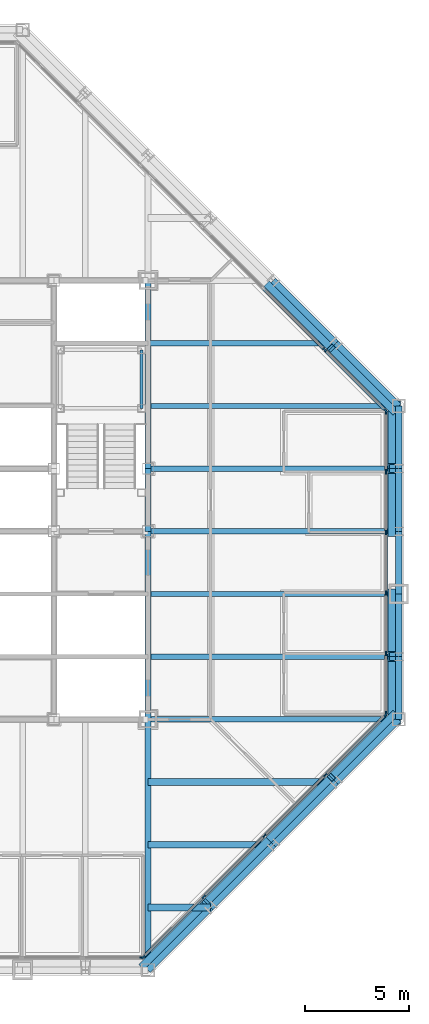
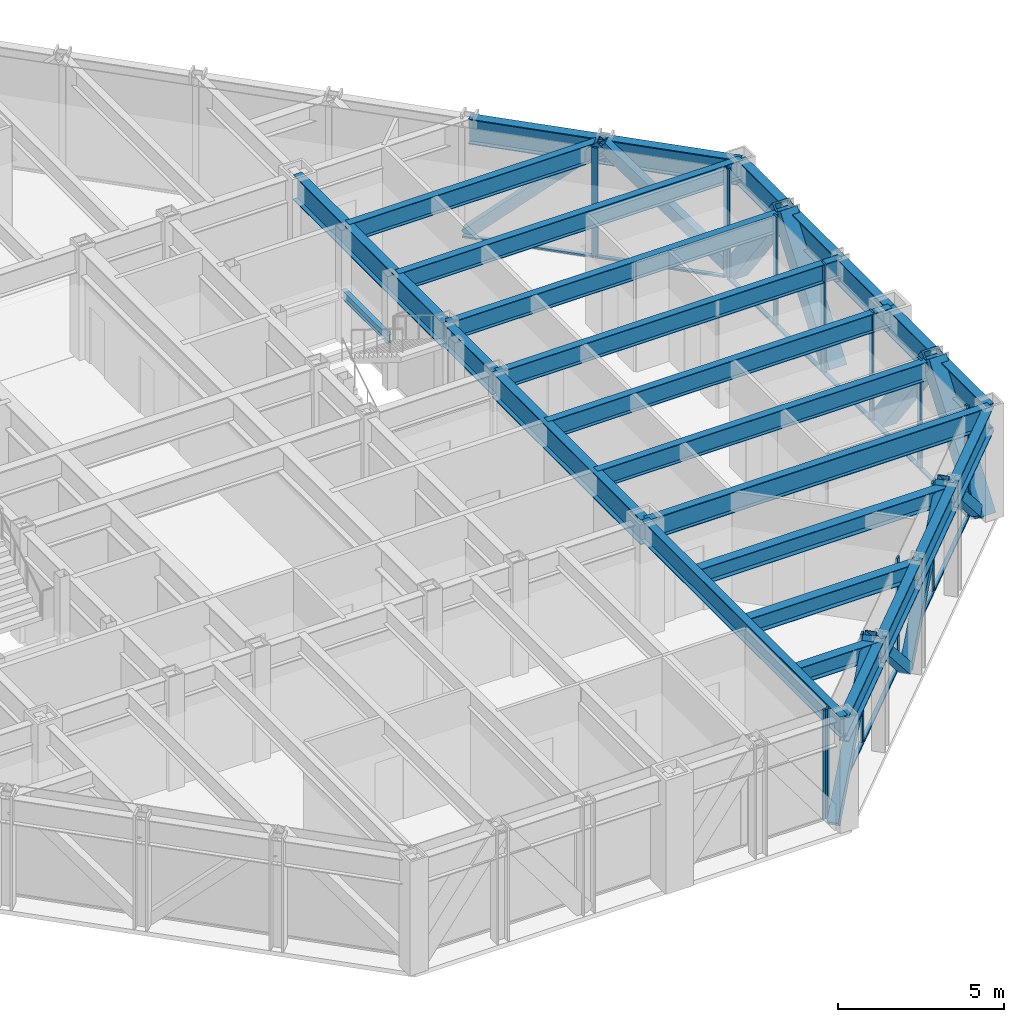
# One storey, part 7 of 16: 35 members, 26 beams, 4 elements without a shape of their own.
"""IFC4 building model written with IfcOpenShell, lengths in metres."""

from ifc_helpers import new_model, si_unit, direction, frame, origin, origin_2d, place, context, subcontext, project, spatial, rectangle, hollow_rectangle, i_section, extrude, material, layer, layer_set, material_profile, profile_set, type_object, element, aggregate, save


model = new_model("IFC4")

# Units and contexts
model_context = context("Model", 3, precision=1e-05, world=origin(), true_north=direction((0.0, 1.0)))
body_context = subcontext(model_context, "Body", "Model", "MODEL_VIEW")
ifc_project = project(units=[si_unit("LENGTHUNIT", "METRE"), si_unit("AREAUNIT", "SQUARE_METRE"), si_unit("VOLUMEUNIT", "CUBIC_METRE"), si_unit("PLANEANGLEUNIT", "RADIAN"), si_unit("MASSUNIT", "GRAM", prefix="KILO")], contexts=[model_context])

# Site, building, storey
site_placement = place(None, origin())
site = spatial("IfcSite", under=ifc_project, at=site_placement, CompositionType="ELEMENT")
building_placement = place(site_placement, origin())
building = spatial("IfcBuilding", under=site, at=building_placement, Name="Chuquiago Exchange Tower", CompositionType="ELEMENT")
storey_placement = place(building_placement, frame((0.0, 0.0, 226.5)))
storey = spatial("IfcBuildingStorey", under=building, at=storey_placement, Name="L50", CompositionType="ELEMENT", Elevation=226.5)

# Beams
ifc_material_1 = material(Name="Steel ASTM A992", Category="steel")
ifc_material_profile_1 = material_profile(ifc_material_1, i_section(OverallWidth=0.25390625, OverallDepth=0.683349609375, WebThickness=0.012451171875, FlangeThickness=0.018798828125, at=origin_2d()), Name="W27X94")
ifc_profile_set_1 = profile_set([ifc_material_profile_1], Name="Steel ASTM A992")
beam_type_1 = type_object("IfcBeamType", Name="B1 W27X94", PredefinedType="BEAM", material=ifc_profile_set_1)
for number, where, z_axis, x_axis, name in (
    (1, (33.0, 15.0, 3.698486328125), (1.0, 0.0, 0.0), (0.0, 1.0, 0.0), "FB-L51-infill-33_15-45_15-0"),
    (2, (33.0, 18.0, 3.698486328125), (1.0, 0.0, 0.0), (0.0, 1.0, 0.0), "FB-L51-infill-33_18-45_18-0"),
    (3, (33.0, 21.0, 3.698486328125), (1.0, 0.0, 0.0), (0.0, 1.0, 0.0), "FB-L51-infill-33_21-45_21-0"),
    (4, (33.0, 24.0, 3.698486328125), (1.0, 0.0, 0.0), (0.0, 1.0, 0.0), "FB-L51-infill-33_24-45_24-0"),
    (5, (33.0, 27.0, 3.698486328125), (1.0, 0.0, 0.0), (0.0, 1.0, 0.0), "FB-L51-infill-33_27-45_27-0"),
):
    element("IfcBeam", number, at=place(storey_placement, frame(where, z_axis=z_axis, x_axis=x_axis)), inside=storey, type_object=beam_type_1, Name=name, PredefinedType="BEAM", context=body_context, shape_type="SweptSolid", body=[
        extrude(i_section(OverallWidth=0.25390625, OverallDepth=0.683349609375, WebThickness=0.012451171875, FlangeThickness=0.018798828125, at=origin_2d()), origin(), (0.0, 0.0, 1.0), 12.0),
    ])
beam_1_placement = place(storey_placement, frame((33.0, 30.0, 3.698486328125), z_axis=(1.0, 0.0, 0.0), x_axis=(0.0, 1.0, 0.0)))
element("IfcBeam", 6, at=beam_1_placement, inside=storey, type_object=beam_type_1, Name="FB-L51-infill-33_30-42_30-0", PredefinedType="BEAM", context=body_context, shape_type="SweptSolid", body=[
    extrude(i_section(OverallWidth=0.25390625, OverallDepth=0.683349609375, WebThickness=0.012451171875, FlangeThickness=0.018798828125, at=origin_2d()), origin(), (0.0, 0.0, 1.0), 9.0),
])
ifc_material_2 = material(Name="Steel ASTM A992", Category="steel")
ifc_material_profile_2 = material_profile(ifc_material_2, i_section(OverallWidth=0.307373046875, OverallDepth=0.927001953125, WebThickness=0.01953125, FlangeThickness=0.031982421875, at=origin_2d()), Name="W36X194")
ifc_profile_set_2 = profile_set([ifc_material_profile_2], Name="Steel ASTM A992")
beam_type_2 = type_object("IfcBeamType", Name="B10 W36X194", PredefinedType="BEAM", material=ifc_profile_set_2)
for number, where, z_axis, x_axis, name in (
    (7, (33.0, 12.0, 3.576416015625), (0.0, 1.0, 0.0), (-1.0, 0.0, 0.0), "CB-L51-33_12-33_21"),
    (8, (33.0, 24.0, 3.576416015625), (0.0, 1.0, 0.0), (-1.0, 0.0, 0.0), "CB-L51-33_24-33_33"),
):
    element("IfcBeam", number, at=place(storey_placement, frame(where, z_axis=z_axis, x_axis=x_axis)), inside=storey, type_object=beam_type_2, Name=name, PredefinedType="BEAM", context=body_context, shape_type="SweptSolid", body=[
        extrude(i_section(OverallWidth=0.307373046875, OverallDepth=0.927001953125, WebThickness=0.01953125, FlangeThickness=0.031982421875, at=origin_2d()), origin(), (0.0, 0.0, 1.0), 9.0),
    ])
ifc_material_3 = material(Name="Steel ASTM A992", Category="steel")
ifc_material_profile_3 = material_profile(ifc_material_3, i_section(OverallWidth=0.3251953125, OverallDepth=0.612060546875, WebThickness=0.0126953125, FlangeThickness=0.01904296875, at=origin_2d()), Name="W24X104")
ifc_profile_set_3 = profile_set([ifc_material_profile_3], Name="Steel ASTM A992")
beam_type_3 = type_object("IfcBeamType", Name="B2 W24X104", PredefinedType="BEAM", material=ifc_profile_set_3)
beam_2_placement = place(storey_placement, frame((33.0, 3.0, 3.73388671875), z_axis=(1.0, 0.0, 0.0), x_axis=(0.0, 1.0, 0.0)))
element("IfcBeam", 9, at=beam_2_placement, inside=storey, type_object=beam_type_3, Name="FB-L51-corner-33_3-36_3-0", PredefinedType="BEAM", context=body_context, shape_type="SweptSolid", body=[
    extrude(i_section(OverallWidth=0.3251953125, OverallDepth=0.612060546875, WebThickness=0.0126953125, FlangeThickness=0.01904296875, at=origin_2d()), origin(), (0.0, 0.0, 1.0), 3.0),
])
beam_3_placement = place(storey_placement, frame((33.0, 6.0, 3.73388671875), z_axis=(1.0, 0.0, 0.0), x_axis=(0.0, 1.0, 0.0)))
element("IfcBeam", 10, at=beam_3_placement, inside=storey, type_object=beam_type_3, Name="FB-L51-corner-33_6-39_6-0", PredefinedType="BEAM", context=body_context, shape_type="SweptSolid", body=[
    extrude(i_section(OverallWidth=0.3251953125, OverallDepth=0.612060546875, WebThickness=0.0126953125, FlangeThickness=0.01904296875, at=origin_2d()), origin(), (0.0, 0.0, 1.0), 6.0),
])
beam_4_placement = place(storey_placement, frame((33.0, 9.0, 3.73388671875), z_axis=(1.0, 0.0, 0.0), x_axis=(0.0, 1.0, 0.0)))
element("IfcBeam", 11, at=beam_4_placement, inside=storey, type_object=beam_type_3, Name="FB-L51-corner-33_9-42_9-0", PredefinedType="BEAM", context=body_context, shape_type="SweptSolid", body=[
    extrude(i_section(OverallWidth=0.3251953125, OverallDepth=0.612060546875, WebThickness=0.0126953125, FlangeThickness=0.01904296875, at=origin_2d()), origin(), (0.0, 0.0, 1.0), 9.0),
])
ifc_material_4 = material(Name="Steel ASTM A992", Category="steel")
ifc_material_profile_4 = material_profile(ifc_material_4, i_section(OverallWidth=0.2919921875, OverallDepth=0.8583984375, WebThickness=0.01708984375, FlangeThickness=0.031005859375, at=origin_2d()), Name="W33X169")
ifc_profile_set_4 = profile_set([ifc_material_profile_4], Name="Steel ASTM A992")
beam_type_4 = type_object("IfcBeamType", Name="B3 W33X169", PredefinedType="BEAM", material=ifc_profile_set_4)
beam_5_placement = place(storey_placement, frame((33.0, 21.0, 3.610595703125), z_axis=(0.0, 1.0, 0.0), x_axis=(-1.0, 0.0, 0.0)))
element("IfcBeam", 12, at=beam_5_placement, inside=storey, type_object=beam_type_4, Name="CB-L51-33_21-33_24", PredefinedType="BEAM", context=body_context, shape_type="SweptSolid", body=[
    extrude(i_section(OverallWidth=0.2919921875, OverallDepth=0.8583984375, WebThickness=0.01708984375, FlangeThickness=0.031005859375, at=origin_2d()), origin(), (0.0, 0.0, 1.0), 3.0),
])

# Curtain wall, member
ifc_material_5 = material(Name="Aluminium curtain wall system", Category="aluminium")
ifc_layer_1 = layer(ifc_material_5, 0.22509765625)
ifc_layer_set_1 = layer_set([ifc_layer_1], Name="CW2 office curtain wall")
curtain_wall_type_1 = type_object("IfcCurtainWallType", Name="CW2 office curtain wall", PredefinedType="NOTDEFINED", material=ifc_layer_set_1)
curtain_wall_1_placement = place(storey_placement, origin())
curtain_wall_1 = element("IfcCurtainWall", 13, at=curtain_wall_1_placement, inside=storey, type_object=curtain_wall_type_1, Name="CW2 curtain wall L50", PredefinedType="NOTDEFINED")
ifc_material_6 = material(Name="Aluminium mullion, pale anodised", Category="aluminium")
ifc_material_profile_5 = material_profile(ifc_material_6, rectangle(XDim=0.06494140625, YDim=0.22509765625, at=origin_2d()), Name="AL 65x225")
ifc_profile_set_5 = profile_set([ifc_material_profile_5], Name="Aluminium mullion, pale anodised")
member_type_1 = type_object("IfcMemberType", Name="CW2-M mullion 65x225", PredefinedType="MULLION", material=ifc_profile_set_5)
member_1_placement = place(storey_placement, frame((32.718994140625, 0.60009765625, 0.0), z_axis=(0.0, 0.0, 1.0), x_axis=(0.0, 1.0, 0.0)))
member_1 = element("IfcMember", 14, at=member_1_placement, type_object=member_type_1, Name="CW2 mullion 6", PredefinedType="MULLION", context=body_context, shape_type="SweptSolid", body=[
    extrude(rectangle(XDim=0.06494140625, YDim=0.22509765625, at=origin_2d()), origin(), (0.0, 0.0, 1.0), 4.0400390625),
])
aggregate(curtain_wall_1, [member_1])

# Curtain wall, members
curtain_wall_2_placement = place(storey_placement, origin())
curtain_wall_2 = element("IfcCurtainWall", 15, at=curtain_wall_2_placement, inside=storey, type_object=curtain_wall_type_1, Name="CW2 curtain wall L50", PredefinedType="NOTDEFINED")
member_2_placement = place(storey_placement, frame((44.39990234375, 12.281005859375, 0.0), z_axis=(0.0, 0.0, 1.0), x_axis=(-1.0, 0.0, 0.0)))
member_2 = element("IfcMember", 16, at=member_2_placement, type_object=member_type_1, Name="CW2 mullion 1", PredefinedType="MULLION", context=body_context, shape_type="SweptSolid", body=[
    extrude(rectangle(XDim=0.06494140625, YDim=0.22509765625, at=origin_2d()), origin(), (0.0, 0.0, 1.0), 4.0400390625),
])
member_3_placement = place(storey_placement, frame((44.39990234375, 15.149169921875, 0.0), z_axis=(0.0, 0.0, 1.0), x_axis=(-1.0, 0.0, 0.0)))
member_3 = element("IfcMember", 17, at=member_3_placement, type_object=member_type_1, Name="CW2 mullion 2", PredefinedType="MULLION", context=body_context, shape_type="SweptSolid", body=[
    extrude(rectangle(XDim=0.06494140625, YDim=0.22509765625, at=origin_2d()), origin(), (0.0, 0.0, 1.0), 4.0400390625),
])
member_4_placement = place(storey_placement, frame((44.39990234375, 18.0498046875, 0.0), z_axis=(0.0, 0.0, 1.0), x_axis=(-1.0, 0.0, 0.0)))
member_4 = element("IfcMember", 18, at=member_4_placement, type_object=member_type_1, Name="CW2 mullion 3", PredefinedType="MULLION", context=body_context, shape_type="SweptSolid", body=[
    extrude(rectangle(XDim=0.06494140625, YDim=0.22509765625, at=origin_2d()), origin(), (0.0, 0.0, 1.0), 4.0400390625),
])
member_5_placement = place(storey_placement, frame((44.39990234375, 20.9501953125, 0.0), z_axis=(0.0, 0.0, 1.0), x_axis=(-1.0, 0.0, 0.0)))
member_5 = element("IfcMember", 19, at=member_5_placement, type_object=member_type_1, Name="CW2 mullion 4", PredefinedType="MULLION", context=body_context, shape_type="SweptSolid", body=[
    extrude(rectangle(XDim=0.06494140625, YDim=0.22509765625, at=origin_2d()), origin(), (0.0, 0.0, 1.0), 4.0400390625),
])
member_6_placement = place(storey_placement, frame((44.39990234375, 23.850830078125, 0.0), z_axis=(0.0, 0.0, 1.0), x_axis=(-1.0, 0.0, 0.0)))
member_6 = element("IfcMember", 20, at=member_6_placement, type_object=member_type_1, Name="CW2 mullion 5", PredefinedType="MULLION", context=body_context, shape_type="SweptSolid", body=[
    extrude(rectangle(XDim=0.06494140625, YDim=0.22509765625, at=origin_2d()), origin(), (0.0, 0.0, 1.0), 4.0400390625),
])
member_7_placement = place(storey_placement, frame((44.39990234375, 26.718994140625, 0.0), z_axis=(0.0, 0.0, 1.0), x_axis=(-1.0, 0.0, 0.0)))
member_7 = element("IfcMember", 21, at=member_7_placement, type_object=member_type_1, Name="CW2 mullion 6", PredefinedType="MULLION", context=body_context, shape_type="SweptSolid", body=[
    extrude(rectangle(XDim=0.06494140625, YDim=0.22509765625, at=origin_2d()), origin(), (0.0, 0.0, 1.0), 4.0400390625),
])
ifc_material_7 = material(Name="Aluminium transom, pale anodised", Category="aluminium")
ifc_material_profile_6 = material_profile(ifc_material_7, rectangle(XDim=0.139892578125, YDim=0.06494140625, at=origin_2d()), Name="AL 140x65")
ifc_profile_set_6 = profile_set([ifc_material_profile_6], Name="Aluminium transom, pale anodised")
member_type_2 = type_object("IfcMemberType", Name="CW2-T transom 65x140", PredefinedType="MULLION", material=ifc_profile_set_6)
member_8_placement = place(storey_placement, frame((44.39990234375, 12.3134765625, 0.032470703125), z_axis=(0.0, 1.0, 0.0), x_axis=(-1.0, 0.0, 0.0)))
member_8 = element("IfcMember", 22, at=member_8_placement, type_object=member_type_2, Name="CW2 transom 1.1", PredefinedType="MULLION", context=body_context, shape_type="SweptSolid", body=[
    extrude(rectangle(XDim=0.139892578125, YDim=0.06494140625, at=origin_2d()), origin(), (0.0, 0.0, 1.0), 2.80322265625),
])
member_9_placement = place(storey_placement, frame((44.39990234375, 15.181640625, 0.032470703125), z_axis=(0.0, 1.0, 0.0), x_axis=(-1.0, 0.0, 0.0)))
member_9 = element("IfcMember", 23, at=member_9_placement, type_object=member_type_2, Name="CW2 transom 2.1", PredefinedType="MULLION", context=body_context, shape_type="SweptSolid", body=[
    extrude(rectangle(XDim=0.139892578125, YDim=0.06494140625, at=origin_2d()), origin(), (0.0, 0.0, 1.0), 2.83544921875),
])
member_10_placement = place(storey_placement, frame((44.39990234375, 18.082275390625, 0.032470703125), z_axis=(0.0, 1.0, 0.0), x_axis=(-1.0, 0.0, 0.0)))
member_10 = element("IfcMember", 24, at=member_10_placement, type_object=member_type_2, Name="CW2 transom 3.1", PredefinedType="MULLION", context=body_context, shape_type="SweptSolid", body=[
    extrude(rectangle(XDim=0.139892578125, YDim=0.06494140625, at=origin_2d()), origin(), (0.0, 0.0, 1.0), 2.83544921875),
])
member_11_placement = place(storey_placement, frame((44.39990234375, 20.98291015625, 0.032470703125), z_axis=(0.0, 1.0, 0.0), x_axis=(-1.0, 0.0, 0.0)))
member_11 = element("IfcMember", 25, at=member_11_placement, type_object=member_type_2, Name="CW2 transom 4.1", PredefinedType="MULLION", context=body_context, shape_type="SweptSolid", body=[
    extrude(rectangle(XDim=0.139892578125, YDim=0.06494140625, at=origin_2d()), origin(), (0.0, 0.0, 1.0), 2.83544921875),
])
member_12_placement = place(storey_placement, frame((44.39990234375, 23.88330078125, 0.032470703125), z_axis=(0.0, 1.0, 0.0), x_axis=(-1.0, 0.0, 0.0)))
member_12 = element("IfcMember", 26, at=member_12_placement, type_object=member_type_2, Name="CW2 transom 5.1", PredefinedType="MULLION", context=body_context, shape_type="SweptSolid", body=[
    extrude(rectangle(XDim=0.139892578125, YDim=0.06494140625, at=origin_2d()), origin(), (0.0, 0.0, 1.0), 2.80322265625),
])
aggregate(curtain_wall_2, [member_2, member_3, member_4, member_5, member_6, member_7, member_8, member_9, member_10, member_11, member_12])

ifc_material_8 = material(Name="Aluminium curtain wall system", Category="aluminium")
ifc_layer_2 = layer(ifc_material_8, 0.199951171875)
ifc_layer_set_2 = layer_set([ifc_layer_2], Name="CW3 facet curtain wall")
curtain_wall_type_2 = type_object("IfcCurtainWallType", Name="CW3 facet curtain wall", PredefinedType="NOTDEFINED", material=ifc_layer_set_2)
curtain_wall_3_placement = place(storey_placement, origin())
curtain_wall_3 = element("IfcCurtainWall", 27, at=curtain_wall_3_placement, inside=storey, type_object=curtain_wall_type_2, Name="CW3 curtain wall L50", PredefinedType="NOTDEFINED")
ifc_material_9 = material(Name="Aluminium mullion, pale anodised", Category="aluminium")
ifc_material_profile_7 = material_profile(ifc_material_9, rectangle(XDim=0.06494140625, YDim=0.199951171875, at=origin_2d()), Name="AL 65x200")
ifc_profile_set_7 = profile_set([ifc_material_profile_7], Name="Aluminium mullion, pale anodised")
member_type_3 = type_object("IfcMemberType", Name="CW3-M mullion 65x200", PredefinedType="MULLION", material=ifc_profile_set_7)
member_13_placement = place(storey_placement, frame((32.7744140625, 0.623046875, 0.0), z_axis=(0.0, 0.0, 1.0), x_axis=(-0.707106781187, 0.707106781187, 0.0)))
member_13 = element("IfcMember", 28, at=member_13_placement, type_object=member_type_3, Name="CW3 mullion 1", PredefinedType="MULLION", context=body_context, shape_type="SweptSolid", body=[
    extrude(rectangle(XDim=0.06494140625, YDim=0.199951171875, at=origin_2d()), origin(), (0.0, 0.0, 1.0), 4.0400390625),
])
member_14_placement = place(storey_placement, frame((35.66357421875, 3.51220703125, 0.0), z_axis=(0.0, 0.0, 1.0), x_axis=(-0.707106781187, 0.707106781187, 0.0)))
member_14 = element("IfcMember", 29, at=member_14_placement, type_object=member_type_3, Name="CW3 mullion 2", PredefinedType="MULLION", context=body_context, shape_type="SweptSolid", body=[
    extrude(rectangle(XDim=0.06494140625, YDim=0.199951171875, at=origin_2d()), origin(), (0.0, 0.0, 1.0), 4.0400390625),
])
member_15_placement = place(storey_placement, frame((38.57568359375, 6.42431640625, 0.0), z_axis=(0.0, 0.0, 1.0), x_axis=(-0.707106781187, 0.707106781187, 0.0)))
member_15 = element("IfcMember", 30, at=member_15_placement, type_object=member_type_3, Name="CW3 mullion 3", PredefinedType="MULLION", context=body_context, shape_type="SweptSolid", body=[
    extrude(rectangle(XDim=0.06494140625, YDim=0.199951171875, at=origin_2d()), origin(), (0.0, 0.0, 1.0), 4.0400390625),
])
member_16_placement = place(storey_placement, frame((41.48779296875, 9.33642578125, 0.0), z_axis=(0.0, 0.0, 1.0), x_axis=(-0.707106781187, 0.707106781187, 0.0)))
member_16 = element("IfcMember", 31, at=member_16_placement, type_object=member_type_3, Name="CW3 mullion 4", PredefinedType="MULLION", context=body_context, shape_type="SweptSolid", body=[
    extrude(rectangle(XDim=0.06494140625, YDim=0.199951171875, at=origin_2d()), origin(), (0.0, 0.0, 1.0), 4.0400390625),
])
member_17_placement = place(storey_placement, frame((44.376953125, 12.2255859375, 0.0), z_axis=(0.0, 0.0, 1.0), x_axis=(-0.707106781187, 0.707106781187, 0.0)))
member_17 = element("IfcMember", 32, at=member_17_placement, type_object=member_type_3, Name="CW3 mullion 5", PredefinedType="MULLION", context=body_context, shape_type="SweptSolid", body=[
    extrude(rectangle(XDim=0.06494140625, YDim=0.199951171875, at=origin_2d()), origin(), (0.0, 0.0, 1.0), 4.0400390625),
])

curtain_wall_4_placement = place(storey_placement, origin())
curtain_wall_4 = element("IfcCurtainWall", 33, at=curtain_wall_4_placement, inside=storey, type_object=curtain_wall_type_2, Name="CW3 curtain wall L50", PredefinedType="NOTDEFINED")
member_18_placement = place(storey_placement, frame((44.376953125, 26.7744140625, 0.0), z_axis=(0.0, 0.0, 1.0), x_axis=(-0.707106781187, -0.707106781187, 0.0)))
member_18 = element("IfcMember", 34, at=member_18_placement, type_object=member_type_3, Name="CW3 mullion 1", PredefinedType="MULLION", context=body_context, shape_type="SweptSolid", body=[
    extrude(rectangle(XDim=0.06494140625, YDim=0.199951171875, at=origin_2d()), origin(), (0.0, 0.0, 1.0), 4.0400390625),
])
member_19_placement = place(storey_placement, frame((41.45849609375, 29.69287109375, 0.0), z_axis=(0.0, 0.0, 1.0), x_axis=(-0.707106781187, -0.707106781187, 0.0)))
member_19 = element("IfcMember", 35, at=member_19_placement, type_object=member_type_3, Name="CW3 mullion 2", PredefinedType="MULLION", context=body_context, shape_type="SweptSolid", body=[
    extrude(rectangle(XDim=0.06494140625, YDim=0.199951171875, at=origin_2d()), origin(), (0.0, 0.0, 1.0), 4.0400390625),
])

# Member
ifc_material_10 = material(Name="Aluminium transom, pale anodised", Category="aluminium")
ifc_material_profile_8 = material_profile(ifc_material_10, rectangle(XDim=0.139892578125, YDim=0.06494140625, at=origin_2d()), Name="AL 140x65")
ifc_profile_set_8 = profile_set([ifc_material_profile_8], Name="Aluminium transom, pale anodised")
member_type_4 = type_object("IfcMemberType", Name="CW3-T transom 65x140", PredefinedType="MULLION", material=ifc_profile_set_8)
member_20_placement = place(storey_placement, frame((32.79736328125, 0.64599609375, 0.032470703125), z_axis=(0.707106781187, 0.707106781187, 0.0), x_axis=(-0.707106781187, 0.707106781187, 0.0)))
member_20 = element("IfcMember", 36, at=member_20_placement, type_object=member_type_4, Name="CW3 transom 1.1", PredefinedType="MULLION", context=body_context, shape_type="SweptSolid", body=[
    extrude(rectangle(XDim=0.139892578125, YDim=0.06494140625, at=origin_2d()), origin(), (0.0, 0.0, 1.0), 4.02099609375),
])

member_21_placement = place(storey_placement, frame((35.6865234375, 3.53515625, 0.032470703125), z_axis=(0.707106781187, 0.707106781187, 0.0), x_axis=(-0.707106781187, 0.707106781187, 0.0)))
member_21 = element("IfcMember", 37, at=member_21_placement, type_object=member_type_4, Name="CW3 transom 2.1", PredefinedType="MULLION", context=body_context, shape_type="SweptSolid", body=[
    extrude(rectangle(XDim=0.139892578125, YDim=0.06494140625, at=origin_2d()), origin(), (0.0, 0.0, 1.0), 4.053466796875),
])

member_22_placement = place(storey_placement, frame((38.5986328125, 6.447265625, 0.032470703125), z_axis=(0.707106781187, 0.707106781187, 0.0), x_axis=(-0.707106781187, 0.707106781187, 0.0)))
member_22 = element("IfcMember", 38, at=member_22_placement, type_object=member_type_4, Name="CW3 transom 3.1", PredefinedType="MULLION", context=body_context, shape_type="SweptSolid", body=[
    extrude(rectangle(XDim=0.139892578125, YDim=0.06494140625, at=origin_2d()), origin(), (0.0, 0.0, 1.0), 4.053466796875),
])

member_23_placement = place(storey_placement, frame((41.5107421875, 9.359375, 0.032470703125), z_axis=(0.707106781187, 0.707106781187, 0.0), x_axis=(-0.707106781187, 0.707106781187, 0.0)))
member_23 = element("IfcMember", 39, at=member_23_placement, type_object=member_type_4, Name="CW3 transom 4.1", PredefinedType="MULLION", context=body_context, shape_type="SweptSolid", body=[
    extrude(rectangle(XDim=0.139892578125, YDim=0.06494140625, at=origin_2d()), origin(), (0.0, 0.0, 1.0), 4.02099609375),
])

aggregate(curtain_wall_3, [member_13, member_14, member_15, member_16, member_17, member_20, member_21, member_22, member_23])

member_24_placement = place(storey_placement, frame((44.35400390625, 26.79736328125, 0.032470703125), z_axis=(-0.707106781187, 0.707106781187, 0.0), x_axis=(-0.707106781187, -0.707106781187, 0.0)))
member_24 = element("IfcMember", 40, at=member_24_placement, type_object=member_type_4, Name="CW3 transom 1.1", PredefinedType="MULLION", context=body_context, shape_type="SweptSolid", body=[
    extrude(rectangle(XDim=0.139892578125, YDim=0.06494140625, at=origin_2d()), origin(), (0.0, 0.0, 1.0), 4.0625),
])

member_25_placement = place(storey_placement, frame((41.435546875, 29.7158203125, 0.032470703125), z_axis=(-0.707106781187, 0.707106781187, 0.0), x_axis=(-0.707106781187, -0.707106781187, 0.0)))
member_25 = element("IfcMember", 41, at=member_25_placement, type_object=member_type_4, Name="CW3 transom 2.1", PredefinedType="MULLION", context=body_context, shape_type="SweptSolid", body=[
    extrude(rectangle(XDim=0.139892578125, YDim=0.06494140625, at=origin_2d()), origin(), (0.0, 0.0, 1.0), 4.094970703125),
])

aggregate(curtain_wall_4, [member_18, member_19, member_24, member_25])

# Beams
ifc_material_11 = material(Name="Steel ASTM A992", Category="steel")
ifc_material_profile_9 = material_profile(ifc_material_11, i_section(OverallWidth=0.2666015625, OverallDepth=0.76953125, WebThickness=0.015625, FlangeThickness=0.025390625, at=origin_2d()), Name="W30X132")
ifc_profile_set_9 = profile_set([ifc_material_profile_9], Name="Steel ASTM A992")
beam_type_5 = type_object("IfcBeamType", Name="G1 W30X132", PredefinedType="BEAM", material=ifc_profile_set_9)
for number, where, z_axis, x_axis, name in (
    (42, (33.0, 12.0, 3.6552734375), (0.0, -1.0, 0.0), (1.0, 0.0, 0.0), "FB-L51-girder-33_12-33_-0-0"),
    (43, (33.0, 12.0, 3.6552734375), (1.0, 0.0, 0.0), (0.0, 1.0, 0.0), "FB-L51-girder-33_12-45_12-0"),
):
    element("IfcBeam", number, at=place(storey_placement, frame(where, z_axis=z_axis, x_axis=x_axis)), inside=storey, type_object=beam_type_5, Name=name, PredefinedType="BEAM", context=body_context, shape_type="SweptSolid", body=[
        extrude(i_section(OverallWidth=0.2666015625, OverallDepth=0.76953125, WebThickness=0.015625, FlangeThickness=0.025390625, at=origin_2d()), origin(), (0.0, 0.0, 1.0), 12.0),
    ])

# Members
ifc_material_12 = material(Name="Steel ASTM A500 Grade C", Category="steel")
ifc_material_profile_10 = material_profile(ifc_material_12, hollow_rectangle(XDim=0.355712890625, YDim=0.355712890625, WallThickness=0.0146484375, at=origin_2d()), Name="HSS14X14X5/8")
ifc_profile_set_10 = profile_set([ifc_material_profile_10], Name="Steel ASTM A500 Grade C")
member_type_5 = type_object("IfcMemberType", Name="LB2 HSS14X14X5/8", PredefinedType="BRACE", material=ifc_profile_set_10)
for number, where, z_axis, x_axis, name in (
    (44, (32.7685546875, 0.2314453125, 0.0), (0.512077265487, 0.512077265487, 0.689604051861), (-0.707106781187, 0.707106781187, 0.0), "LB-L50-33_0-36_3"),
    (45, (38.7685546875, 6.2314453125, 0.0), (-0.512077265487, -0.512077265487, 0.689604051861), (0.707106781187, -0.707106781187, 0.0), "LB-L50-36_3-39_6"),
    (46, (38.7685546875, 6.2314453125, 0.0), (0.512077265487, 0.512077265487, 0.689604051861), (-0.707106781187, 0.707106781187, 0.0), "LB-L50-39_6-42_9"),
    (47, (44.7685546875, 12.2314453125, 0.0), (-0.512077265487, -0.512077265487, 0.689604051861), (0.707106781187, -0.707106781187, 0.0), "LB-L50-42_9-45_12"),
    (48, (44.7685546875, 26.7685546875, 0.0), (-0.512077265487, 0.512077265487, 0.689604051861), (-0.707106781187, -0.707106781187, 0.0), "LB-L50-45_27-42_30"),
    (49, (38.7685546875, 32.7685546875, 0.0), (0.512077265487, -0.512077265487, 0.689604051861), (0.707106781187, 0.707106781187, 0.0), "LB-L50-42_30-39_33"),
):
    element("IfcMember", number, at=place(storey_placement, frame(where, z_axis=z_axis, x_axis=x_axis)), inside=storey, type_object=member_type_5, Name=name, PredefinedType="BRACE", context=body_context, shape_type="SweptSolid", body=[
        extrude(hollow_rectangle(XDim=0.355712890625, YDim=0.355712890625, WallThickness=0.0146484375, at=origin_2d()), origin(), (0.0, 0.0, 1.0), 5.8583984375),
    ])

# Beam
ifc_material_13 = material(Name="Steel ASTM A992", Category="steel")
ifc_material_profile_11 = material_profile(ifc_material_13, i_section(OverallWidth=0.164794921875, OverallDepth=0.309814453125, WebThickness=0.005859375, FlangeThickness=0.009765625, at=origin_2d()), Name="W12X26")
ifc_profile_set_11 = profile_set([ifc_material_profile_11], Name="Steel ASTM A992")
beam_type_6 = type_object("IfcBeamType", Name="LS1 W12X26", PredefinedType="BEAM", material=ifc_profile_set_11)
beam_6_placement = place(storey_placement, frame((32.68994140625, 26.889892578125, 1.7451171875), z_axis=(0.0, 1.0, 0.0), x_axis=(-1.0, 0.0, 0.0)))
element("IfcBeam", 50, at=beam_6_placement, inside=storey, type_object=beam_type_6, Name="Stair ST2 L50 landing 1 stringer", PredefinedType="BEAM", context=body_context, shape_type="SweptSolid", body=[
    extrude(i_section(OverallWidth=0.164794921875, OverallDepth=0.309814453125, WebThickness=0.005859375, FlangeThickness=0.009765625, at=origin_2d()), origin(), (0.0, 0.0, 1.0), 2.800048828125),
])

# Members
ifc_material_14 = material(Name="Steel ASTM A572 Grade 50", Category="steel")
ifc_material_profile_12 = material_profile(ifc_material_14, hollow_rectangle(XDim=0.60009765625, YDim=0.60009765625, WallThickness=0.06005859375, at=origin_2d()), Name="BOX600X600X60")
ifc_profile_set_12 = profile_set([ifc_material_profile_12], Name="Steel ASTM A572 Grade 50")
member_type_6 = type_object("IfcMemberType", Name="MB3 BOX600X600X60", PredefinedType="BRACE", material=ifc_profile_set_12)
for number, where, z_axis, x_axis, name in (
    (51, (44.794921875, 12.0, 0.0), (0.0, 0.596173923302, 0.802855312728), (-1.0, 0.0, 0.0), "Mega diagonal L50 E face"),
    (52, (44.794921875, 18.0, 0.0), (0.0, -0.596173923302, 0.802855312728), (1.0, 0.0, 0.0), "Mega diagonal L50 E face"),
    (53, (44.794921875, 21.0, 0.0), (0.0, 0.596173923302, 0.802855312728), (-1.0, 0.0, 0.0), "Mega diagonal L50 E face"),
    (54, (44.794921875, 27.0, 0.0), (0.0, -0.596173923302, 0.802855312728), (1.0, 0.0, 0.0), "Mega diagonal L50 E face"),
):
    element("IfcMember", number, at=place(storey_placement, frame(where, z_axis=z_axis, x_axis=x_axis)), inside=storey, type_object=member_type_6, Name=name, PredefinedType="BRACE", context=body_context, shape_type="SweptSolid", body=[
        extrude(hollow_rectangle(XDim=0.60009765625, YDim=0.60009765625, WallThickness=0.06005859375, at=origin_2d()), origin(), (0.0, 0.0, 1.0), 5.031982421875),
    ])

# Beams
ifc_material_15 = material(Name="Steel ASTM A992", Category="steel")
ifc_material_profile_13 = material_profile(ifc_material_15, i_section(OverallWidth=0.307373046875, OverallDepth=0.927001953125, WebThickness=0.01953125, FlangeThickness=0.031982421875, at=origin_2d()), Name="W36X194")
ifc_profile_set_13 = profile_set([ifc_material_profile_13], Name="Steel ASTM A992")
beam_type_7 = type_object("IfcBeamType", Name="SP3 W36X194", PredefinedType="SPANDREL", material=ifc_profile_set_13)
for number, where, z_axis, x_axis, name in (
    (55, (33.0, 0.0, 3.576416015625), (0.707106781187, 0.707106781187, 0.0), (-0.707106781187, 0.707106781187, 0.0), "SPB-L51-33_0-36_3"),
    (56, (36.0, 3.0, 3.576416015625), (0.707106781187, 0.707106781187, 0.0), (-0.707106781187, 0.707106781187, 0.0), "SPB-L51-36_3-39_6"),
    (57, (39.0, 6.0, 3.576416015625), (0.707106781187, 0.707106781187, 0.0), (-0.707106781187, 0.707106781187, 0.0), "SPB-L51-39_6-42_9"),
    (58, (42.0, 9.0, 3.576416015625), (0.707106781187, 0.707106781187, 0.0), (-0.707106781187, 0.707106781187, 0.0), "SPB-L51-42_9-45_12"),
):
    element("IfcBeam", number, at=place(storey_placement, frame(where, z_axis=z_axis, x_axis=x_axis)), inside=storey, type_object=beam_type_7, Name=name, PredefinedType="SPANDREL", context=body_context, shape_type="SweptSolid", body=[
        extrude(i_section(OverallWidth=0.307373046875, OverallDepth=0.927001953125, WebThickness=0.01953125, FlangeThickness=0.031982421875, at=origin_2d()), origin(), (0.0, 0.0, 1.0), 4.24267578125),
    ])
for number, where, z_axis, x_axis, name in (
    (59, (45.0, 12.0, 3.576416015625), (0.0, 1.0, 0.0), (-1.0, 0.0, 0.0), "SPB-L51-45_12-45_15"),
    (60, (45.0, 15.0, 3.576416015625), (0.0, 1.0, 0.0), (-1.0, 0.0, 0.0), "SPB-L51-45_15-45_18"),
    (61, (45.0, 18.0, 3.576416015625), (0.0, 1.0, 0.0), (-1.0, 0.0, 0.0), "SPB-L51-45_18-45_21"),
    (62, (45.0, 21.0, 3.576416015625), (0.0, 1.0, 0.0), (-1.0, 0.0, 0.0), "SPB-L51-45_21-45_24"),
    (63, (45.0, 24.0, 3.576416015625), (0.0, 1.0, 0.0), (-1.0, 0.0, 0.0), "SPB-L51-45_24-45_27"),
):
    element("IfcBeam", number, at=place(storey_placement, frame(where, z_axis=z_axis, x_axis=x_axis)), inside=storey, type_object=beam_type_7, Name=name, PredefinedType="SPANDREL", context=body_context, shape_type="SweptSolid", body=[
        extrude(i_section(OverallWidth=0.307373046875, OverallDepth=0.927001953125, WebThickness=0.01953125, FlangeThickness=0.031982421875, at=origin_2d()), origin(), (0.0, 0.0, 1.0), 3.0),
    ])
for number, where, z_axis, x_axis, name in (
    (64, (45.0, 27.0, 3.576416015625), (-0.707106781187, 0.707106781187, 0.0), (-0.707106781187, -0.707106781187, 0.0), "SPB-L51-45_27-42_30"),
    (65, (42.0, 30.0, 3.576416015625), (-0.707106781187, 0.707106781187, 0.0), (-0.707106781187, -0.707106781187, 0.0), "SPB-L51-42_30-39_33"),
):
    element("IfcBeam", number, at=place(storey_placement, frame(where, z_axis=z_axis, x_axis=x_axis)), inside=storey, type_object=beam_type_7, Name=name, PredefinedType="SPANDREL", context=body_context, shape_type="SweptSolid", body=[
        extrude(i_section(OverallWidth=0.307373046875, OverallDepth=0.927001953125, WebThickness=0.01953125, FlangeThickness=0.031982421875, at=origin_2d()), origin(), (0.0, 0.0, 1.0), 4.24267578125),
    ])

save(model, "model.ifc")
